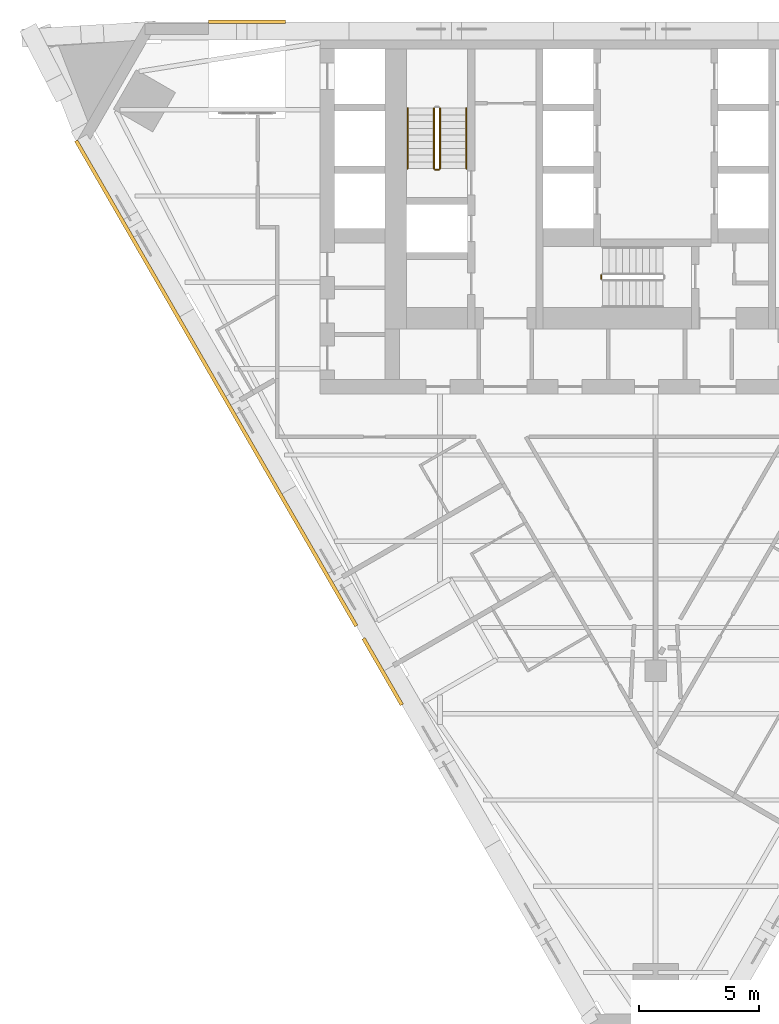
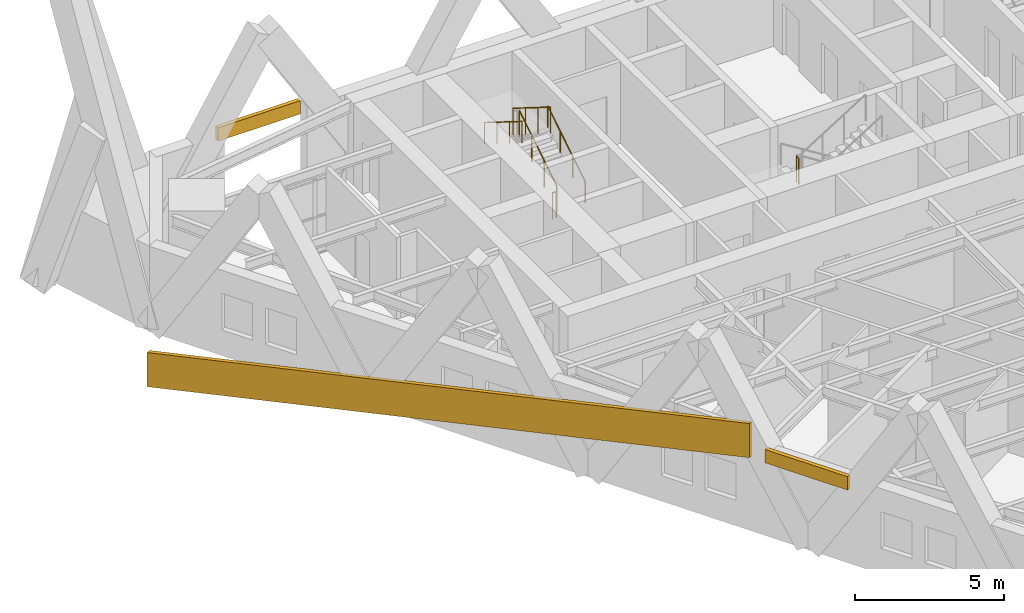
# One storey, part 10 of 11: 6 railings, 3 coverings.
"""IFC4 building model written with IfcOpenShell, lengths in metres."""

from ifc_helpers import new_model, si_unit, direction, frame, origin, origin_2d, place, context, subcontext, project, spatial, polyline, circle, outline, extrude, material, layer, layer_set, type_object, element, save


model = new_model("IFC4")

# Units and contexts
model_context = context("Model", 3, precision=1e-05, world=origin(), true_north=direction((0.0, 1.0)))
body_context = subcontext(model_context, "Body", "Model", "MODEL_VIEW")
ifc_project = project(units=[si_unit("LENGTHUNIT", "METRE"), si_unit("AREAUNIT", "SQUARE_METRE"), si_unit("VOLUMEUNIT", "CUBIC_METRE"), si_unit("PLANEANGLEUNIT", "RADIAN"), si_unit("MASSUNIT", "GRAM", prefix="KILO")], contexts=[model_context])

# Site, building, storey
site_placement = place(None, origin())
site = spatial("IfcSite", under=ifc_project, at=site_placement, CompositionType="ELEMENT")
building_placement = place(site_placement, origin())
building = spatial("IfcBuilding", under=site, at=building_placement, Name="Aloe Facet Convention Tower", CompositionType="ELEMENT")
storey_placement = place(building_placement, frame((0.0, 0.0, 95.800048828125)))
storey = spatial("IfcBuildingStorey", under=building, at=storey_placement, Name="L23", CompositionType="ELEMENT", Elevation=95.800048828125)

# Railings
ifc_material_1 = material(Name="Steel S355 balustrade", Category="steel")
railing_type_1 = type_object("IfcRailingType", Name="CR-RL-GUARD", PredefinedType="GUARDRAIL", material=ifc_material_1)
railing_1_placement = place(storey_placement, frame((71.0, 128.949951171875, 0.175048828125)))
element("IfcRailing", 1, at=railing_1_placement, inside=storey, type_object=railing_type_1, Name="L23 ST1 stair guard 1", PredefinedType="GUARDRAIL", context=body_context, shape_type="SweptSolid", body=[
    extrude(circle(Radius=0.02392578125, at=origin_2d()), frame((0.0, 0.0, 1.076171875), z_axis=(0.0, 0.848007534815, 0.529984170421), x_axis=(-1.0, 0.0, 0.0)), (0.0, 0.0, 1.0), 2.9716796875),
    extrude(circle(Radius=0.02099609375, at=origin_2d()), origin(), (0.0, 0.0, 1.0), 1.052001953125),
    extrude(circle(Radius=0.02099609375, at=origin_2d()), frame((0.0, 0.840087890625, 0.52490234375)), (0.0, 0.0, 1.0), 1.052001953125),
    extrude(circle(Radius=0.02099609375, at=origin_2d()), frame((0.0, 1.679931640625, 1.050048828125)), (0.0, 0.0, 1.0), 1.052001953125),
    extrude(circle(Radius=0.02099609375, at=origin_2d()), frame((0.0, 2.52001953125, 1.574951171875)), (0.0, 0.0, 1.0), 1.052001953125),
])
railing_2_placement = place(storey_placement, frame((70.75, 131.469970703125, 1.925048828125)))
element("IfcRailing", 2, at=railing_2_placement, inside=storey, type_object=railing_type_1, Name="L23 ST1 stair guard 3", PredefinedType="GUARDRAIL", context=body_context, shape_type="SweptSolid", body=[
    extrude(circle(Radius=0.02392578125, at=origin_2d()), frame((0.0, 0.0, 1.076171875), z_axis=(0.0, -0.848007534815, 0.529984170421), x_axis=(1.0, 0.0, 0.0)), (0.0, 0.0, 1.0), 2.9716796875),
    extrude(circle(Radius=0.02099609375, at=origin_2d()), origin(), (0.0, 0.0, 1.0), 1.052001953125),
    extrude(circle(Radius=0.02099609375, at=origin_2d()), frame((0.0, -0.840087890625, 0.52490234375)), (0.0, 0.0, 1.0), 1.052001953125),
    extrude(circle(Radius=0.02099609375, at=origin_2d()), frame((0.0, -1.679931640625, 1.050048828125)), (0.0, 0.0, 1.0), 1.052001953125),
    extrude(circle(Radius=0.02099609375, at=origin_2d()), frame((0.0, -2.52001953125, 1.574951171875)), (0.0, 0.0, 1.0), 1.052001953125),
])
railing_3_placement = place(storey_placement, frame((70.949951171875, 128.89990234375, 0.0)))
element("IfcRailing", 3, at=railing_3_placement, inside=storey, type_object=railing_type_1, Name="L23 ST1 stair guard 4", PredefinedType="GUARDRAIL", context=body_context, shape_type="SweptSolid", body=[
    extrude(circle(Radius=0.02392578125, at=origin_2d()), frame((0.0, 0.0, 1.076171875), z_axis=(-1.0, 0.0, 0.0), x_axis=(0.0, -1.0, 0.0)), (0.0, 0.0, 1.0), 0.14990234375),
    extrude(circle(Radius=0.02099609375, at=origin_2d()), origin(), (0.0, 0.0, 1.0), 1.052001953125),
    extrude(circle(Radius=0.02099609375, at=origin_2d()), frame((-0.14990234375, 0.0, 0.0)), (0.0, 0.0, 1.0), 1.052001953125),
])
railing_4_placement = place(storey_placement, frame((77.72998046875, 124.5, 1.75)))
element("IfcRailing", 4, at=railing_4_placement, inside=storey, type_object=railing_type_1, Name="L23 ST3 stair guard 2", PredefinedType="GUARDRAIL", context=body_context, shape_type="SweptSolid", body=[
    extrude(circle(Radius=0.02392578125, at=origin_2d()), frame((0.0, 0.0, 1.076171875), z_axis=(0.0, -1.0, 0.0), x_axis=(1.0, 0.0, 0.0)), (0.0, 0.0, 1.0), 0.14990234375),
    extrude(circle(Radius=0.02099609375, at=origin_2d()), origin(), (0.0, 0.0, 1.0), 1.052001953125),
    extrude(circle(Radius=0.02099609375, at=origin_2d()), frame((0.0, -0.14990234375, 0.0)), (0.0, 0.0, 1.0), 1.052001953125),
])
ifc_material_2 = material(Name="Steel S355 handrail", Category="steel")
railing_type_2 = type_object("IfcRailingType", Name="CR-RL-HAND", PredefinedType="HANDRAIL", material=ifc_material_2)
railing_5_placement = place(storey_placement, frame((72.10009765625, 128.949951171875, 0.175048828125)))
element("IfcRailing", 5, at=railing_5_placement, inside=storey, type_object=railing_type_2, Name="L23 ST1 stair handrail 1", PredefinedType="HANDRAIL", context=body_context, shape_type="SweptSolid", body=[
    extrude(circle(Radius=0.02392578125, at=origin_2d()), frame((0.0, 0.0, 0.8759765625), z_axis=(0.0, 0.848007534815, 0.529984170421), x_axis=(-1.0, 0.0, 0.0)), (0.0, 0.0, 1.0), 2.9716796875),
    extrude(circle(Radius=0.02099609375, at=origin_2d()), origin(), (0.0, 0.0, 1.0), 0.851806640625),
    extrude(circle(Radius=0.02099609375, at=origin_2d()), frame((0.0, 0.840087890625, 0.52490234375)), (0.0, 0.0, 1.0), 0.851806640625),
    extrude(circle(Radius=0.02099609375, at=origin_2d()), frame((0.0, 1.679931640625, 1.050048828125)), (0.0, 0.0, 1.0), 0.851806640625),
    extrude(circle(Radius=0.02099609375, at=origin_2d()), frame((0.0, 2.52001953125, 1.574951171875)), (0.0, 0.0, 1.0), 0.851806640625),
])
railing_6_placement = place(storey_placement, frame((69.64990234375, 131.469970703125, 1.925048828125)))
element("IfcRailing", 6, at=railing_6_placement, inside=storey, type_object=railing_type_2, Name="L23 ST1 stair handrail 2", PredefinedType="HANDRAIL", context=body_context, shape_type="SweptSolid", body=[
    extrude(circle(Radius=0.02392578125, at=origin_2d()), frame((0.0, 0.0, 0.8759765625), z_axis=(0.0, -0.848007534815, 0.529984170421), x_axis=(1.0, 0.0, 0.0)), (0.0, 0.0, 1.0), 2.9716796875),
    extrude(circle(Radius=0.02099609375, at=origin_2d()), origin(), (0.0, 0.0, 1.0), 0.851806640625),
    extrude(circle(Radius=0.02099609375, at=origin_2d()), frame((0.0, -0.840087890625, 0.52490234375)), (0.0, 0.0, 1.0), 0.851806640625),
    extrude(circle(Radius=0.02099609375, at=origin_2d()), frame((0.0, -1.679931640625, 1.050048828125)), (0.0, 0.0, 1.0), 0.851806640625),
    extrude(circle(Radius=0.02099609375, at=origin_2d()), frame((0.0, -2.52001953125, 1.574951171875)), (0.0, 0.0, 1.0), 0.851806640625),
])

# Coverings
ifc_material_3 = material(Name="Bronze oxide fascia sheet")
ifc_layer = layer(ifc_material_3, 0.14990234375)
ifc_layer_set = layer_set([ifc_layer], Name="EV-FASCIA-TERR")
covering_type = type_object("IfcCoveringType", Name="EV-FASCIA-TERR", PredefinedType="CLADDING", material=ifc_layer_set)
covering_1_placement = place(storey_placement, frame((0.0, 0.0, 2.800048828125)))
element("IfcCovering", 7, at=covering_1_placement, inside=storey, type_object=covering_type, Name="Terrace fascia T04 head", PredefinedType="CLADDING", context=body_context, shape_type="SweptSolid", body=[
    extrude(outline(polyline([(64.542724609375, 135.14990234375), (61.3427734375, 135.14990234375), (61.3427734375, 135.0), (64.542724609375, 135.0), (64.542724609375, 135.14990234375)])), origin(), (0.0, 0.0, 1.0), 0.5498046875),
])
covering_2_placement = place(storey_placement, frame((0.0, 0.0, 2.949951171875)))
element("IfcCovering", 8, at=covering_2_placement, inside=storey, type_object=covering_type, Name="Terrace fascia T05 sill", PredefinedType="CLADDING", context=body_context, shape_type="SweptSolid", body=[
    extrude(outline(polyline([(67.741455078125, 109.302978515625), (69.341552734375, 106.53173828125), (69.471435546875, 106.606689453125), (67.871337890625, 109.3779296875), (67.741455078125, 109.302978515625)])), origin(), (0.0, 0.0, 1.0), 0.550048828125),
])
covering_3_placement = place(storey_placement, frame((55.74853515625, 130.0751953125, -2.322265625), z_axis=(-0.866025817777, -0.499999282944, 0.0), x_axis=(0.487757603846, -0.844822567066, 0.219925783085)))
element("IfcCovering", 9, at=covering_3_placement, inside=storey, type_object=covering_type, Name="Spiral ribbon zone 2 part 5", PredefinedType="CLADDING", context=body_context, shape_type="SweptSolid", body=[
    extrude(outline(polyline([(0.0, 0.0), (23.972708988116146, 0.0), (24.280583607307584, 1.3656279840770944), (0.3079283120095743, 1.365866147311151), (0.0, 0.0)])), origin(), (0.0, 0.0, -1.0), 0.14990234375),
])

save(model, "model.ifc")
